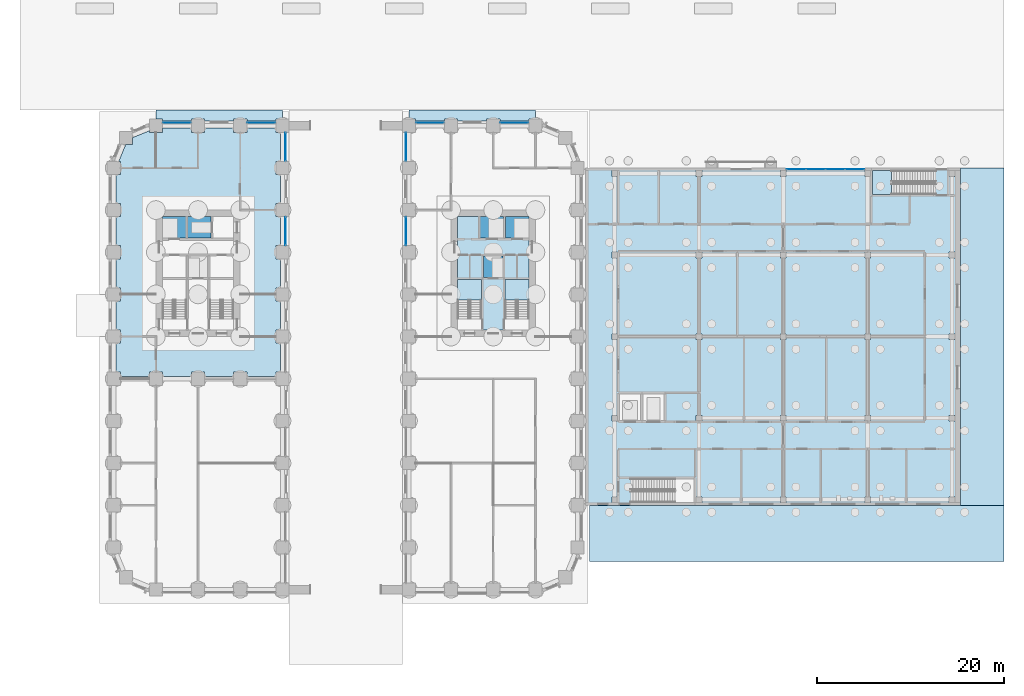
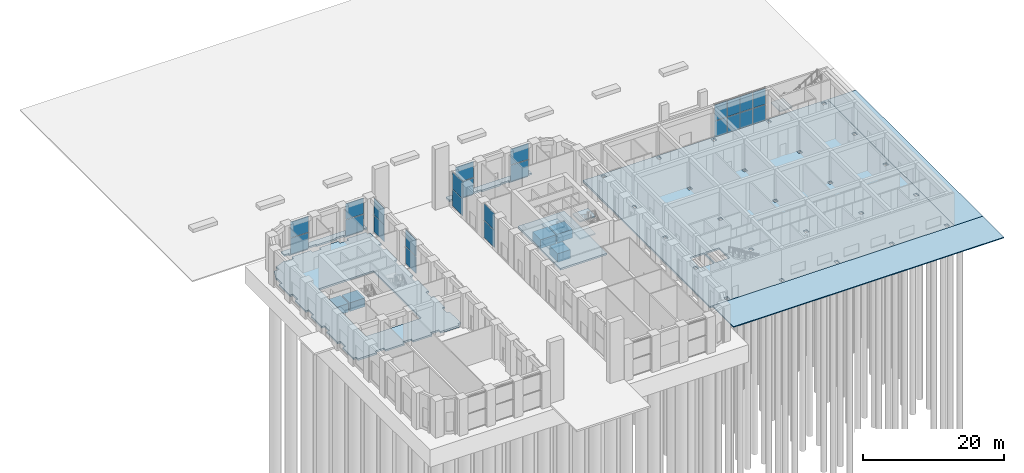
# One storey, part 12 of 31: 24 plates, 17 slabs, 12 elements without a shape of their own.
"""IFC4 building model written with IfcOpenShell, lengths in metres."""

from ifc_helpers import new_model, si_unit, direction, frame, origin, origin_2d, place, context, subcontext, project, spatial, polyline, rectangle, outline, extrude, material, layer, layer_set, type_object, element, aggregate, save


model = new_model("IFC4")

# Units and contexts
model_context = context("Model", 3, precision=1e-05, world=origin(), true_north=direction((0.0, 1.0)))
body_context = subcontext(model_context, "Body", "Model", "MODEL_VIEW")
ifc_project = project(units=[si_unit("LENGTHUNIT", "METRE"), si_unit("AREAUNIT", "SQUARE_METRE"), si_unit("VOLUMEUNIT", "CUBIC_METRE"), si_unit("PLANEANGLEUNIT", "RADIAN"), si_unit("MASSUNIT", "GRAM", prefix="KILO")], contexts=[model_context])

# Site, building, storey
site_placement = place(None, origin())
site = spatial("IfcSite", under=ifc_project, at=site_placement, CompositionType="ELEMENT")
building_placement = place(site_placement, origin())
building = spatial("IfcBuilding", under=site, at=building_placement, Name="Girih Gate Residences", CompositionType="ELEMENT")
storey_placement = place(building_placement, origin())
storey = spatial("IfcBuildingStorey", under=building, at=storey_placement, Name="L00", CompositionType="ELEMENT", Elevation=0.0)

# Curtain wall, plates
ifc_material_1 = material(Name="Aluminium curtain wall frame", Category="aluminium")
curtain_wall_type_1 = type_object("IfcCurtainWallType", Name="Curtain wall CW-6 street frontage glazing", PredefinedType="NOTDEFINED", material=ifc_material_1)
curtain_wall_1_placement = place(storey_placement, origin())
curtain_wall_1 = element("IfcCurtainWall", 1, at=curtain_wall_1_placement, inside=storey, type_object=curtain_wall_type_1, Name="CW-6 Street frontage glazing N0180_0495.0", PredefinedType="NOTDEFINED")
ifc_material_2 = material(Name="Laminated safety glass", Category="glass")
ifc_layer_1 = layer(ifc_material_2, 0.02197265625)
ifc_layer_set_1 = layer_set([ifc_layer_1], Name="Curtain wall glass panel 22")
plate_type_1 = type_object("IfcPlateType", Name="Curtain wall glass panel 22", PredefinedType="CURTAIN_PANEL", material=ifc_layer_set_1)
plate_1_placement = place(storey_placement, frame((15.75, 49.804931640625, 0.06005859375), z_axis=(0.0, 0.0, 1.0), x_axis=(-1.0, 0.0, 0.0)))
plate_1 = element("IfcPlate", 2, at=plate_1_placement, type_object=plate_type_1, Name="CW-6 panel 1.1", PredefinedType="CURTAIN_PANEL", context=body_context, shape_type="SweptSolid", body=[
    extrude(rectangle(XDim=2.97998046875, YDim=0.028076171875, at=origin_2d()), origin(), (0.0, 0.0, 1.0), 2.784912109375),
])
plate_2_placement = place(storey_placement, frame((15.75, 49.804931640625, 2.9052734375), z_axis=(0.0, 0.0, 1.0), x_axis=(-1.0, 0.0, 0.0)))
plate_2 = element("IfcPlate", 3, at=plate_2_placement, type_object=plate_type_1, Name="CW-6 panel 1.2", PredefinedType="CURTAIN_PANEL", context=body_context, shape_type="SweptSolid", body=[
    extrude(rectangle(XDim=2.97998046875, YDim=0.028076171875, at=origin_2d()), origin(), (0.0, 0.0, 1.0), 2.784912109375),
])
aggregate(curtain_wall_1, [plate_1, plate_2])

curtain_wall_2_placement = place(storey_placement, origin())
curtain_wall_2 = element("IfcCurtainWall", 4, at=curtain_wall_2_placement, inside=storey, type_object=curtain_wall_type_1, Name="CW-6 Street frontage glazing N0180_0495.2", PredefinedType="NOTDEFINED")
plate_3_placement = place(storey_placement, frame((6.75, 49.804931640625, 0.06005859375), z_axis=(0.0, 0.0, 1.0), x_axis=(-1.0, 0.0, 0.0)))
plate_3 = element("IfcPlate", 5, at=plate_3_placement, type_object=plate_type_1, Name="CW-6 panel 1.1", PredefinedType="CURTAIN_PANEL", context=body_context, shape_type="SweptSolid", body=[
    extrude(rectangle(XDim=2.97998046875, YDim=0.028076171875, at=origin_2d()), origin(), (0.0, 0.0, 1.0), 2.784912109375),
])
plate_4_placement = place(storey_placement, frame((6.75, 49.804931640625, 2.9052734375), z_axis=(0.0, 0.0, 1.0), x_axis=(-1.0, 0.0, 0.0)))
plate_4 = element("IfcPlate", 6, at=plate_4_placement, type_object=plate_type_1, Name="CW-6 panel 1.2", PredefinedType="CURTAIN_PANEL", context=body_context, shape_type="SweptSolid", body=[
    extrude(rectangle(XDim=2.97998046875, YDim=0.028076171875, at=origin_2d()), origin(), (0.0, 0.0, 1.0), 2.784912109375),
])
aggregate(curtain_wall_2, [plate_3, plate_4])

curtain_wall_type_2 = type_object("IfcCurtainWallType", Name="Curtain wall CW-1 arcade glazing", PredefinedType="NOTDEFINED", material=ifc_material_1)
curtain_wall_3_placement = place(storey_placement, origin())
curtain_wall_3 = element("IfcCurtainWall", 7, at=curtain_wall_3_placement, inside=storey, type_object=curtain_wall_type_2, Name="CW-1 Arcade glazing E0180_0000.8", PredefinedType="NOTDEFINED")
plate_5_placement = place(storey_placement, frame((18.324951171875, 38.25, 0.06005859375), z_axis=(0.0, 0.0, 1.0), x_axis=(0.0, 1.0, 0.0)))
plate_5 = element("IfcPlate", 8, at=plate_5_placement, type_object=plate_type_1, Name="CW-1 panel 1.1", PredefinedType="CURTAIN_PANEL", context=body_context, shape_type="SweptSolid", body=[
    extrude(rectangle(XDim=2.97998046875, YDim=0.028076171875, at=origin_2d()), origin(), (0.0, 0.0, 1.0), 2.909912109375),
])
plate_6_placement = place(storey_placement, frame((18.324951171875, 38.25, 3.0302734375), z_axis=(0.0, 0.0, 1.0), x_axis=(0.0, 1.0, 0.0)))
plate_6 = element("IfcPlate", 9, at=plate_6_placement, type_object=plate_type_1, Name="CW-1 panel 1.2", PredefinedType="CURTAIN_PANEL", context=body_context, shape_type="SweptSolid", body=[
    extrude(rectangle(XDim=2.97998046875, YDim=0.028076171875, at=origin_2d()), origin(), (0.0, 0.0, 1.0), 2.909912109375),
])
aggregate(curtain_wall_3, [plate_5, plate_6])

curtain_wall_4_placement = place(storey_placement, origin())
curtain_wall_4 = element("IfcCurtainWall", 10, at=curtain_wall_4_placement, inside=storey, type_object=curtain_wall_type_2, Name="CW-1 Arcade glazing E0180_0000.10", PredefinedType="NOTDEFINED")
plate_7_placement = place(storey_placement, frame((18.324951171875, 47.25, 0.06005859375), z_axis=(0.0, 0.0, 1.0), x_axis=(0.0, 1.0, 0.0)))
plate_7 = element("IfcPlate", 11, at=plate_7_placement, type_object=plate_type_1, Name="CW-1 panel 1.1", PredefinedType="CURTAIN_PANEL", context=body_context, shape_type="SweptSolid", body=[
    extrude(rectangle(XDim=2.97998046875, YDim=0.028076171875, at=origin_2d()), origin(), (0.0, 0.0, 1.0), 2.909912109375),
])
plate_8_placement = place(storey_placement, frame((18.324951171875, 47.25, 3.0302734375), z_axis=(0.0, 0.0, 1.0), x_axis=(0.0, 1.0, 0.0)))
plate_8 = element("IfcPlate", 12, at=plate_8_placement, type_object=plate_type_1, Name="CW-1 panel 1.2", PredefinedType="CURTAIN_PANEL", context=body_context, shape_type="SweptSolid", body=[
    extrude(rectangle(XDim=2.97998046875, YDim=0.028076171875, at=origin_2d()), origin(), (0.0, 0.0, 1.0), 2.909912109375),
])
aggregate(curtain_wall_4, [plate_7, plate_8])

curtain_wall_5_placement = place(storey_placement, origin())
curtain_wall_5 = element("IfcCurtainWall", 13, at=curtain_wall_5_placement, inside=storey, type_object=curtain_wall_type_1, Name="CW-6 Street frontage glazing N0450_0495.0", PredefinedType="NOTDEFINED")
plate_9_placement = place(storey_placement, frame((42.75, 49.804931640625, 0.06005859375), z_axis=(0.0, 0.0, 1.0), x_axis=(-1.0, 0.0, 0.0)))
plate_9 = element("IfcPlate", 14, at=plate_9_placement, type_object=plate_type_1, Name="CW-6 panel 1.1", PredefinedType="CURTAIN_PANEL", context=body_context, shape_type="SweptSolid", body=[
    extrude(rectangle(XDim=2.97998046875, YDim=0.028076171875, at=origin_2d()), origin(), (0.0, 0.0, 1.0), 2.784912109375),
])
plate_10_placement = place(storey_placement, frame((42.75, 49.804931640625, 2.9052734375), z_axis=(0.0, 0.0, 1.0), x_axis=(-1.0, 0.0, 0.0)))
plate_10 = element("IfcPlate", 15, at=plate_10_placement, type_object=plate_type_1, Name="CW-6 panel 1.2", PredefinedType="CURTAIN_PANEL", context=body_context, shape_type="SweptSolid", body=[
    extrude(rectangle(XDim=2.97998046875, YDim=0.028076171875, at=origin_2d()), origin(), (0.0, 0.0, 1.0), 2.784912109375),
])
aggregate(curtain_wall_5, [plate_9, plate_10])

curtain_wall_6_placement = place(storey_placement, origin())
curtain_wall_6 = element("IfcCurtainWall", 16, at=curtain_wall_6_placement, inside=storey, type_object=curtain_wall_type_1, Name="CW-6 Street frontage glazing N0450_0495.2", PredefinedType="NOTDEFINED")
plate_11_placement = place(storey_placement, frame((33.75, 49.804931640625, 0.06005859375), z_axis=(0.0, 0.0, 1.0), x_axis=(-1.0, 0.0, 0.0)))
plate_11 = element("IfcPlate", 17, at=plate_11_placement, type_object=plate_type_1, Name="CW-6 panel 1.1", PredefinedType="CURTAIN_PANEL", context=body_context, shape_type="SweptSolid", body=[
    extrude(rectangle(XDim=2.97998046875, YDim=0.028076171875, at=origin_2d()), origin(), (0.0, 0.0, 1.0), 2.784912109375),
])
plate_12_placement = place(storey_placement, frame((33.75, 49.804931640625, 2.9052734375), z_axis=(0.0, 0.0, 1.0), x_axis=(-1.0, 0.0, 0.0)))
plate_12 = element("IfcPlate", 18, at=plate_12_placement, type_object=plate_type_1, Name="CW-6 panel 1.2", PredefinedType="CURTAIN_PANEL", context=body_context, shape_type="SweptSolid", body=[
    extrude(rectangle(XDim=2.97998046875, YDim=0.028076171875, at=origin_2d()), origin(), (0.0, 0.0, 1.0), 2.784912109375),
])
aggregate(curtain_wall_6, [plate_11, plate_12])

curtain_wall_7_placement = place(storey_placement, origin())
curtain_wall_7 = element("IfcCurtainWall", 19, at=curtain_wall_7_placement, inside=storey, type_object=curtain_wall_type_2, Name="CW-1 Arcade glazing W0315_0495.0", PredefinedType="NOTDEFINED")
plate_13_placement = place(storey_placement, frame((31.175048828125, 47.25, 0.06005859375), z_axis=(0.0, 0.0, 1.0), x_axis=(0.0, -1.0, 0.0)))
plate_13 = element("IfcPlate", 20, at=plate_13_placement, type_object=plate_type_1, Name="CW-1 panel 1.1", PredefinedType="CURTAIN_PANEL", context=body_context, shape_type="SweptSolid", body=[
    extrude(rectangle(XDim=2.97998046875, YDim=0.028076171875, at=origin_2d()), origin(), (0.0, 0.0, 1.0), 2.909912109375),
])
plate_14_placement = place(storey_placement, frame((31.175048828125, 47.25, 3.0302734375), z_axis=(0.0, 0.0, 1.0), x_axis=(0.0, -1.0, 0.0)))
plate_14 = element("IfcPlate", 21, at=plate_14_placement, type_object=plate_type_1, Name="CW-1 panel 1.2", PredefinedType="CURTAIN_PANEL", context=body_context, shape_type="SweptSolid", body=[
    extrude(rectangle(XDim=2.97998046875, YDim=0.028076171875, at=origin_2d()), origin(), (0.0, 0.0, 1.0), 2.909912109375),
])
aggregate(curtain_wall_7, [plate_13, plate_14])

curtain_wall_8_placement = place(storey_placement, origin())
curtain_wall_8 = element("IfcCurtainWall", 22, at=curtain_wall_8_placement, inside=storey, type_object=curtain_wall_type_2, Name="CW-1 Arcade glazing W0315_0495.2", PredefinedType="NOTDEFINED")
plate_15_placement = place(storey_placement, frame((31.175048828125, 38.25, 0.06005859375), z_axis=(0.0, 0.0, 1.0), x_axis=(0.0, -1.0, 0.0)))
plate_15 = element("IfcPlate", 23, at=plate_15_placement, type_object=plate_type_1, Name="CW-1 panel 1.1", PredefinedType="CURTAIN_PANEL", context=body_context, shape_type="SweptSolid", body=[
    extrude(rectangle(XDim=2.97998046875, YDim=0.028076171875, at=origin_2d()), origin(), (0.0, 0.0, 1.0), 2.909912109375),
])
plate_16_placement = place(storey_placement, frame((31.175048828125, 38.25, 3.0302734375), z_axis=(0.0, 0.0, 1.0), x_axis=(0.0, -1.0, 0.0)))
plate_16 = element("IfcPlate", 24, at=plate_16_placement, type_object=plate_type_1, Name="CW-1 panel 1.2", PredefinedType="CURTAIN_PANEL", context=body_context, shape_type="SweptSolid", body=[
    extrude(rectangle(XDim=2.97998046875, YDim=0.028076171875, at=origin_2d()), origin(), (0.0, 0.0, 1.0), 2.909912109375),
])
aggregate(curtain_wall_8, [plate_15, plate_16])

# Slabs
ifc_material_3 = material(Name="Granite paving", Category="masonry")
ifc_layer_2 = layer(ifc_material_3, 0.06005859375, Name="Granite paver")
ifc_material_4 = material(Name="Sand-cement bedding mortar")
ifc_layer_3 = layer(ifc_material_4, 0.0400390625, Name="Bedding")
ifc_material_5 = material(Name="Concrete C30/37", Category="concrete")
ifc_layer_4 = layer(ifc_material_5, 0.199951171875, Name="Concrete base")
ifc_layer_set_2 = layer_set([ifc_layer_2, ifc_layer_3, ifc_layer_4], Name="Entrance apron paving 300")
slab_type_1 = type_object("IfcSlabType", Name="Entrance apron paving 300", PredefinedType="USERDEFINED", material=ifc_layer_set_2)
slab_1_placement = place(storey_placement, frame((0.0, 0.0, -0.300048828125)))
element("IfcSlab", 25, at=slab_1_placement, inside=storey, type_object=slab_type_1, Name="Entrance apron north-west", ObjectType="PAVING", PredefinedType="USERDEFINED", context=body_context, shape_type="SweptSolid", body=[
    extrude(outline(polyline([(4.5, 51.14990234375), (18.0, 51.14990234375), (18.0, 50.199951171875), (17.300048828125, 50.199951171875), (17.300048828125, 50.02490234375), (14.199951171875, 50.02490234375), (14.199951171875, 50.199951171875), (12.800048828125, 50.199951171875), (12.800048828125, 50.02490234375), (9.699951171875, 50.02490234375), (9.699951171875, 50.199951171875), (8.300048828125, 50.199951171875), (8.300048828125, 50.02490234375), (5.199951171875, 50.02490234375), (5.199951171875, 50.199951171875), (4.5, 50.199951171875), (4.5, 51.14990234375)])), origin(), (0.0, 0.0, 1.0), 0.300048828125),
])
slab_2_placement = place(storey_placement, frame((0.0, 0.0, -0.300048828125)))
element("IfcSlab", 26, at=slab_2_placement, inside=storey, type_object=slab_type_1, Name="Entrance apron north-east", ObjectType="PAVING", PredefinedType="USERDEFINED", context=body_context, shape_type="SweptSolid", body=[
    extrude(outline(polyline([(31.5, 51.14990234375), (45.0, 51.14990234375), (45.0, 50.199951171875), (44.300048828125, 50.199951171875), (44.300048828125, 50.02490234375), (41.199951171875, 50.02490234375), (41.199951171875, 50.199951171875), (39.800048828125, 50.199951171875), (39.800048828125, 50.02490234375), (36.699951171875, 50.02490234375), (36.699951171875, 50.199951171875), (35.300048828125, 50.199951171875), (35.300048828125, 50.02490234375), (32.199951171875, 50.02490234375), (32.199951171875, 50.199951171875), (31.5, 50.199951171875), (31.5, 51.14990234375)])), origin(), (0.0, 0.0, 1.0), 0.300048828125),
])
ifc_material_6 = material(Name="Concrete C40/50", Category="concrete")
ifc_layer_5 = layer(ifc_material_6, 0.300048828125)
ifc_layer_set_3 = layer_set([ifc_layer_5], Name="Ground slab RC 300 Concrete C40/50")
slab_type_2 = type_object("IfcSlabType", Name="Ground slab RC 300 Concrete C40/50", PredefinedType="BASESLAB", material=ifc_layer_set_3)
slab_3_placement = place(storey_placement, frame((0.0, 0.0, -0.300048828125)))
element("IfcSlab", 27, at=slab_3_placement, inside=storey, type_object=slab_type_2, Name="Ground slab L00 3", PredefinedType="BASESLAB", context=body_context, shape_type="SweptSolid", body=[
    extrude(outline(polyline([(36.699951171875, 27.699951171875), (44.300048828125, 27.699951171875), (44.300048828125, 39.800048828125), (36.699951171875, 39.800048828125), (36.699951171875, 27.699951171875)])), origin(), (0.0, 0.0, 1.0), 0.300048828125),
])
slab_4_placement = place(storey_placement, frame((0.0, 0.0, -0.300048828125)))
element("IfcSlab", 28, at=slab_4_placement, inside=storey, type_object=slab_type_2, Name="Ground slab L00 4", PredefinedType="BASESLAB", context=body_context, shape_type="SweptSolid", body=[
    extrude(outline(polyline([(0.22509765625, 26.300048828125), (0.22509765625, 23.199951171875), (0.699951171875, 23.199951171875), (0.699951171875, 22.72509765625), (3.800048828125, 22.72509765625), (3.800048828125, 23.199951171875), (5.199951171875, 23.199951171875), (5.199951171875, 22.72509765625), (8.300048828125, 22.72509765625), (8.300048828125, 23.199951171875), (9.699951171875, 23.199951171875), (9.699951171875, 22.72509765625), (12.800048828125, 22.72509765625), (12.800048828125, 23.199951171875), (14.199951171875, 23.199951171875), (14.199951171875, 22.72509765625), (17.300048828125, 22.72509765625), (17.300048828125, 23.199951171875), (17.77490234375, 23.199951171875), (17.77490234375, 26.300048828125), (17.300048828125, 26.300048828125), (17.300048828125, 27.699951171875), (17.77490234375, 27.699951171875), (17.77490234375, 30.800048828125), (17.300048828125, 30.800048828125), (17.300048828125, 32.199951171875), (17.77490234375, 32.199951171875), (17.77490234375, 35.300048828125), (17.300048828125, 35.300048828125), (17.300048828125, 36.699951171875), (17.77490234375, 36.699951171875), (17.77490234375, 39.800048828125), (17.300048828125, 39.800048828125), (17.300048828125, 41.199951171875), (17.77490234375, 41.199951171875), (17.77490234375, 44.300048828125), (17.300048828125, 44.300048828125), (17.300048828125, 45.699951171875), (17.77490234375, 45.699951171875), (17.77490234375, 48.800048828125), (17.300048828125, 48.800048828125), (17.300048828125, 49.27490234375), (14.199951171875, 49.27490234375), (14.199951171875, 48.800048828125), (12.800048828125, 48.800048828125), (12.800048828125, 49.27490234375), (9.699951171875, 49.27490234375), (9.699951171875, 48.800048828125), (8.300048828125, 48.800048828125), (8.300048828125, 49.27490234375), (5.199951171875, 49.27490234375), (5.199951171875, 48.800048828125), (3.800048828125, 48.800048828125), (3.800048828125, 48.966552734375), (2.01806640625, 48.228271484375), (2.01806640625, 47.48193359375), (1.271728515625, 47.48193359375), (0.533447265625, 45.699951171875), (0.699951171875, 45.699951171875), (0.699951171875, 44.300048828125), (0.22509765625, 44.300048828125), (0.22509765625, 41.199951171875), (0.699951171875, 41.199951171875), (0.699951171875, 39.800048828125), (0.22509765625, 39.800048828125), (0.22509765625, 36.699951171875), (0.699951171875, 36.699951171875), (0.699951171875, 35.300048828125), (0.22509765625, 35.300048828125), (0.22509765625, 32.199951171875), (0.699951171875, 32.199951171875), (0.699951171875, 30.800048828125), (0.22509765625, 30.800048828125), (0.22509765625, 27.699951171875), (0.699951171875, 27.699951171875), (0.699951171875, 26.300048828125), (0.22509765625, 26.300048828125)]), holes=[polyline([(13.5, 40.5), (13.5, 27.0), (4.5, 27.0), (4.5, 40.5), (13.5, 40.5)])]), origin(), (0.0, 0.0, 1.0), 0.300048828125),
])

# Curtain wall, plates
ifc_material_7 = material(Name="Aluminium curtain wall", Category="aluminium")
curtain_wall_type_3 = type_object("IfcCurtainWallType", Name="HC CW-5 curtain wall", PredefinedType="NOTDEFINED", material=ifc_material_7)
curtain_wall_9_placement = place(storey_placement, origin())
curtain_wall_9 = element("IfcCurtainWall", 29, at=curtain_wall_9_placement, inside=storey, type_object=curtain_wall_type_3, Name="L00 Health Hall curtain wall", PredefinedType="NOTDEFINED")
ifc_material_8 = material(Name="Double glazed unit")
ifc_layer_6 = layer(ifc_material_8, 0.028076171875)
ifc_layer_set_4 = layer_set([ifc_layer_6], Name="HC CW-5 panel 28")
plate_type_2 = type_object("IfcPlateType", Name="HC CW-5 panel 28", PredefinedType="CURTAIN_PANEL", material=ifc_layer_set_4)
plate_17_placement = place(storey_placement, frame((72.81494140625, 44.85009765625, 0.06005859375), z_axis=(0.0, 0.0, 1.0), x_axis=(1.0, 0.0, 0.0)))
plate_17 = element("IfcPlate", 30, at=plate_17_placement, type_object=plate_type_2, Name="CW-5 panel 1.1", PredefinedType="CURTAIN_PANEL", context=body_context, shape_type="SweptSolid", body=[
    extrude(rectangle(XDim=2.010009765625, YDim=0.028076171875, at=origin_2d()), origin(), (0.0, 0.0, 1.0), 2.760009765625),
])
plate_18_placement = place(storey_placement, frame((72.81494140625, 44.85009765625, 2.8798828125), z_axis=(0.0, 0.0, 1.0), x_axis=(1.0, 0.0, 0.0)))
plate_18 = element("IfcPlate", 31, at=plate_18_placement, type_object=plate_type_2, Name="CW-5 panel 1.2", PredefinedType="CURTAIN_PANEL", context=body_context, shape_type="SweptSolid", body=[
    extrude(rectangle(XDim=2.010009765625, YDim=0.028076171875, at=origin_2d()), origin(), (0.0, 0.0, 1.0), 2.760009765625),
])
plate_19_placement = place(storey_placement, frame((74.89990234375, 44.85009765625, 0.06005859375), z_axis=(0.0, 0.0, 1.0), x_axis=(1.0, 0.0, 0.0)))
plate_19 = element("IfcPlate", 32, at=plate_19_placement, type_object=plate_type_2, Name="CW-5 panel 2.1", PredefinedType="CURTAIN_PANEL", context=body_context, shape_type="SweptSolid", body=[
    extrude(rectangle(XDim=2.0400390625, YDim=0.028076171875, at=origin_2d()), origin(), (0.0, 0.0, 1.0), 2.760009765625),
])
plate_20_placement = place(storey_placement, frame((74.89990234375, 44.85009765625, 2.8798828125), z_axis=(0.0, 0.0, 1.0), x_axis=(1.0, 0.0, 0.0)))
plate_20 = element("IfcPlate", 33, at=plate_20_placement, type_object=plate_type_2, Name="CW-5 panel 2.2", PredefinedType="CURTAIN_PANEL", context=body_context, shape_type="SweptSolid", body=[
    extrude(rectangle(XDim=2.0400390625, YDim=0.028076171875, at=origin_2d()), origin(), (0.0, 0.0, 1.0), 2.760009765625),
])
plate_21_placement = place(storey_placement, frame((77.0, 44.85009765625, 0.06005859375), z_axis=(0.0, 0.0, 1.0), x_axis=(1.0, 0.0, 0.0)))
plate_21 = element("IfcPlate", 34, at=plate_21_placement, type_object=plate_type_2, Name="CW-5 panel 3.1", PredefinedType="CURTAIN_PANEL", context=body_context, shape_type="SweptSolid", body=[
    extrude(rectangle(XDim=2.0400390625, YDim=0.028076171875, at=origin_2d()), origin(), (0.0, 0.0, 1.0), 2.760009765625),
])
plate_22_placement = place(storey_placement, frame((77.0, 44.85009765625, 2.8798828125), z_axis=(0.0, 0.0, 1.0), x_axis=(1.0, 0.0, 0.0)))
plate_22 = element("IfcPlate", 35, at=plate_22_placement, type_object=plate_type_2, Name="CW-5 panel 3.2", PredefinedType="CURTAIN_PANEL", context=body_context, shape_type="SweptSolid", body=[
    extrude(rectangle(XDim=2.0400390625, YDim=0.028076171875, at=origin_2d()), origin(), (0.0, 0.0, 1.0), 2.760009765625),
])
plate_23_placement = place(storey_placement, frame((79.0849609375, 44.85009765625, 0.06005859375), z_axis=(0.0, 0.0, 1.0), x_axis=(1.0, 0.0, 0.0)))
plate_23 = element("IfcPlate", 36, at=plate_23_placement, type_object=plate_type_2, Name="CW-5 panel 4.1", PredefinedType="CURTAIN_PANEL", context=body_context, shape_type="SweptSolid", body=[
    extrude(rectangle(XDim=2.010009765625, YDim=0.028076171875, at=origin_2d()), origin(), (0.0, 0.0, 1.0), 2.760009765625),
])
plate_24_placement = place(storey_placement, frame((79.0849609375, 44.85009765625, 2.8798828125), z_axis=(0.0, 0.0, 1.0), x_axis=(1.0, 0.0, 0.0)))
plate_24 = element("IfcPlate", 37, at=plate_24_placement, type_object=plate_type_2, Name="CW-5 panel 4.2", PredefinedType="CURTAIN_PANEL", context=body_context, shape_type="SweptSolid", body=[
    extrude(rectangle(XDim=2.010009765625, YDim=0.028076171875, at=origin_2d()), origin(), (0.0, 0.0, 1.0), 2.760009765625),
])
aggregate(curtain_wall_9, [plate_17, plate_18, plate_19, plate_20, plate_21, plate_22, plate_23, plate_24])

# Slabs
ifc_material_9 = material(Name="Concrete paving", Category="concrete")
ifc_layer_7 = layer(ifc_material_9, 0.14990234375)
ifc_layer_set_5 = layer_set([ifc_layer_7], Name="HC Footway paving 150")
slab_type_3 = type_object("IfcSlabType", Name="HC Footway paving 150", PredefinedType="USERDEFINED", material=ifc_layer_set_5)
slab_5_placement = place(storey_placement, frame((0.0, 0.0, -0.14990234375)))
element("IfcSlab", 38, at=slab_5_placement, inside=storey, type_object=slab_type_3, Name="Health centre east path paving", ObjectType="PAVING", PredefinedType="USERDEFINED", context=body_context, shape_type="SweptSolid", body=[
    extrude(outline(polyline([(90.35009765625, 9.0), (95.0, 9.0), (95.0, 45.0), (90.35009765625, 45.0), (90.35009765625, 9.0)])), origin(), (0.0, 0.0, 1.0), 0.14990234375),
])
slab_6_placement = place(storey_placement, frame((0.0, 0.0, -0.14990234375)))
element("IfcSlab", 39, at=slab_6_placement, inside=storey, type_object=slab_type_3, Name="Health centre south service path paving", ObjectType="PAVING", PredefinedType="USERDEFINED", context=body_context, shape_type="SweptSolid", body=[
    extrude(outline(polyline([(50.75, 3.0), (95.0, 3.0), (95.0, 9.0), (50.75, 9.0), (50.75, 3.0)])), origin(), (0.0, 0.0, 1.0), 0.14990234375),
])
ifc_layer_8 = layer(ifc_material_6, 0.300048828125)
ifc_layer_set_6 = layer_set([ifc_layer_8], Name="HC Ground slab 300 C40/50")
slab_type_4 = type_object("IfcSlabType", Name="HC Ground slab 300 C40/50", PredefinedType="BASESLAB", material=ifc_layer_set_6)
slab_7_placement = place(storey_placement, frame((0.0, 0.0, -0.300048828125)))
element("IfcSlab", 40, at=slab_7_placement, inside=storey, type_object=slab_type_4, Name="Health centre ground slab", PredefinedType="BASESLAB", context=body_context, shape_type="SweptSolid", body=[
    extrude(outline(polyline([(50.35009765625, 9.0), (90.35009765625, 9.0), (90.35009765625, 45.0), (50.35009765625, 45.0), (50.35009765625, 9.0)]), holes=[polyline([(53.14990234375, 9.300048828125), (53.75, 9.300048828125), (53.75, 9.89990234375), (53.14990234375, 9.89990234375), (53.14990234375, 9.300048828125)]), polyline([(53.14990234375, 18.0), (53.75, 18.0), (53.75, 18.60009765625), (53.14990234375, 18.60009765625), (53.14990234375, 18.0)]), polyline([(53.14990234375, 26.699951171875), (53.75, 26.699951171875), (53.75, 27.300048828125), (53.14990234375, 27.300048828125), (53.14990234375, 26.699951171875)]), polyline([(53.14990234375, 35.39990234375), (53.75, 35.39990234375), (53.75, 36.0), (53.14990234375, 36.0), (53.14990234375, 35.39990234375)]), polyline([(53.14990234375, 44.10009765625), (53.75, 44.10009765625), (53.75, 44.699951171875), (53.14990234375, 44.699951171875), (53.14990234375, 44.10009765625)]), polyline([(62.14990234375, 9.300048828125), (62.75, 9.300048828125), (62.75, 9.89990234375), (62.14990234375, 9.89990234375), (62.14990234375, 9.300048828125)]), polyline([(62.14990234375, 18.0), (62.75, 18.0), (62.75, 18.60009765625), (62.14990234375, 18.60009765625), (62.14990234375, 18.0)]), polyline([(62.14990234375, 26.699951171875), (62.75, 26.699951171875), (62.75, 27.300048828125), (62.14990234375, 27.300048828125), (62.14990234375, 26.699951171875)]), polyline([(62.14990234375, 35.39990234375), (62.75, 35.39990234375), (62.75, 36.0), (62.14990234375, 36.0), (62.14990234375, 35.39990234375)]), polyline([(62.14990234375, 44.10009765625), (62.75, 44.10009765625), (62.75, 44.699951171875), (62.14990234375, 44.699951171875), (62.14990234375, 44.10009765625)]), polyline([(71.14990234375, 9.300048828125), (71.75, 9.300048828125), (71.75, 9.89990234375), (71.14990234375, 9.89990234375), (71.14990234375, 9.300048828125)]), polyline([(71.14990234375, 18.0), (71.75, 18.0), (71.75, 18.60009765625), (71.14990234375, 18.60009765625), (71.14990234375, 18.0)]), polyline([(71.14990234375, 26.699951171875), (71.75, 26.699951171875), (71.75, 27.300048828125), (71.14990234375, 27.300048828125), (71.14990234375, 26.699951171875)]), polyline([(71.14990234375, 35.39990234375), (71.75, 35.39990234375), (71.75, 36.0), (71.14990234375, 36.0), (71.14990234375, 35.39990234375)]), polyline([(71.14990234375, 44.10009765625), (71.75, 44.10009765625), (71.75, 44.699951171875), (71.14990234375, 44.699951171875), (71.14990234375, 44.10009765625)]), polyline([(80.14990234375, 9.300048828125), (80.75, 9.300048828125), (80.75, 9.89990234375), (80.14990234375, 9.89990234375), (80.14990234375, 9.300048828125)]), polyline([(80.14990234375, 18.0), (80.75, 18.0), (80.75, 18.60009765625), (80.14990234375, 18.60009765625), (80.14990234375, 18.0)]), polyline([(80.14990234375, 26.699951171875), (80.75, 26.699951171875), (80.75, 27.300048828125), (80.14990234375, 27.300048828125), (80.14990234375, 26.699951171875)]), polyline([(80.14990234375, 35.39990234375), (80.75, 35.39990234375), (80.75, 36.0), (80.14990234375, 36.0), (80.14990234375, 35.39990234375)]), polyline([(80.14990234375, 44.10009765625), (80.75, 44.10009765625), (80.75, 44.699951171875), (80.14990234375, 44.699951171875), (80.14990234375, 44.10009765625)]), polyline([(89.14990234375, 9.300048828125), (89.75, 9.300048828125), (89.75, 9.89990234375), (89.14990234375, 9.89990234375), (89.14990234375, 9.300048828125)]), polyline([(89.14990234375, 18.0), (89.75, 18.0), (89.75, 18.60009765625), (89.14990234375, 18.60009765625), (89.14990234375, 18.0)]), polyline([(89.14990234375, 26.699951171875), (89.75, 26.699951171875), (89.75, 27.300048828125), (89.14990234375, 27.300048828125), (89.14990234375, 26.699951171875)]), polyline([(89.14990234375, 35.39990234375), (89.75, 35.39990234375), (89.75, 36.0), (89.14990234375, 36.0), (89.14990234375, 35.39990234375)]), polyline([(89.14990234375, 44.10009765625), (89.75, 44.10009765625), (89.75, 44.699951171875), (89.14990234375, 44.699951171875), (89.14990234375, 44.10009765625)]), polyline([(53.949951171875, 18.0), (56.25, 18.0), (56.25, 20.89990234375), (53.949951171875, 20.89990234375), (53.949951171875, 18.0)]), polyline([(56.449951171875, 18.0), (58.75, 18.0), (58.75, 20.89990234375), (56.449951171875, 20.89990234375), (56.449951171875, 18.0)])]), origin(), (0.0, 0.0, 1.0), 0.300048828125),
])

# Stair, slab
stair_type_1 = type_object("IfcStairType", Name="HC Stair", PredefinedType="HALF_TURN_STAIR", material=ifc_material_6)
stair_1_placement = place(storey_placement, origin())
stair_1 = element("IfcStair", 41, at=stair_1_placement, inside=storey, type_object=stair_type_1, Name="L00 stair B", PredefinedType="HALF_TURN_STAIR")
ifc_layer_9 = layer(ifc_material_6, 0.199951171875)
ifc_layer_set_7 = layer_set([ifc_layer_9], Name="HC Stair landing 200")
slab_type_5 = type_object("IfcSlabType", Name="HC Stair landing 200", PredefinedType="LANDING", material=ifc_layer_set_7)
slab_8_placement = place(storey_placement, frame((0.0, 0.0, 2.800048828125)))
slab_8 = element("IfcSlab", 42, at=slab_8_placement, type_object=slab_type_5, Name="HC-STB landing 1", PredefinedType="LANDING", context=body_context, shape_type="SweptSolid", body=[
    extrude(outline(polyline([(82.989990234375, 44.699951171875), (80.949951171875, 44.699951171875), (80.949951171875, 42.14990234375), (82.989990234375, 42.14990234375), (82.989990234375, 44.699951171875)])), origin(), (0.0, 0.0, 1.0), 0.199951171875),
])
aggregate(stair_1, [slab_8])

# Slabs
ifc_material_10 = material(Name="Concrete C35/45", Category="concrete")
ifc_layer_10 = layer(ifc_material_10, 1.5)
ifc_layer_set_8 = layer_set([ifc_layer_10], Name="Lift pit slab RC 1500 Concrete C35/45")
slab_type_6 = type_object("IfcSlabType", Name="Lift pit slab RC 1500 Concrete C35/45", PredefinedType="USERDEFINED", material=ifc_layer_set_8)
slab_9_placement = place(storey_placement, frame((0.0, 0.0, -3.300048828125)))
element("IfcSlab", 43, at=slab_9_placement, inside=storey, type_object=slab_type_6, Name="Lift pit slab LR-W1", ObjectType="LIFT PIT SLAB", PredefinedType="USERDEFINED", context=body_context, shape_type="SweptSolid", body=[
    extrude(outline(polyline([(5.199951171875, 37.5), (7.699951171875, 37.5), (7.699951171875, 39.800048828125), (5.199951171875, 39.800048828125), (5.199951171875, 37.5)])), origin(), (0.0, 0.0, 1.0), 1.5),
])
slab_10_placement = place(storey_placement, frame((0.0, 0.0, -3.300048828125)))
element("IfcSlab", 44, at=slab_10_placement, inside=storey, type_object=slab_type_6, Name="Lift pit slab FF-W2", ObjectType="LIFT PIT SLAB", PredefinedType="USERDEFINED", context=body_context, shape_type="SweptSolid", body=[
    extrude(outline(polyline([(7.89990234375, 37.5), (10.39990234375, 37.5), (10.39990234375, 39.800048828125), (7.89990234375, 39.800048828125), (7.89990234375, 37.5)])), origin(), (0.0, 0.0, 1.0), 1.5),
])
slab_11_placement = place(storey_placement, frame((0.0, 0.0, -3.300048828125)))
element("IfcSlab", 45, at=slab_11_placement, inside=storey, type_object=slab_type_6, Name="Lift pit slab LR-E1", ObjectType="LIFT PIT SLAB", PredefinedType="USERDEFINED", context=body_context, shape_type="SweptSolid", body=[
    extrude(outline(polyline([(41.800048828125, 37.5), (44.300048828125, 37.5), (44.300048828125, 39.800048828125), (41.800048828125, 39.800048828125), (41.800048828125, 37.5)])), origin(), (0.0, 0.0, 1.0), 1.5),
])
slab_12_placement = place(storey_placement, frame((0.0, 0.0, -3.300048828125)))
element("IfcSlab", 46, at=slab_12_placement, inside=storey, type_object=slab_type_6, Name="Lift pit slab LR-E2", ObjectType="LIFT PIT SLAB", PredefinedType="USERDEFINED", context=body_context, shape_type="SweptSolid", body=[
    extrude(outline(polyline([(39.10009765625, 37.5), (41.60009765625, 37.5), (41.60009765625, 39.800048828125), (39.10009765625, 39.800048828125), (39.10009765625, 37.5)])), origin(), (0.0, 0.0, 1.0), 1.5),
])
slab_13_placement = place(storey_placement, frame((0.0, 0.0, -3.300048828125)))
element("IfcSlab", 47, at=slab_13_placement, inside=storey, type_object=slab_type_6, Name="Lift pit slab FF-E", ObjectType="LIFT PIT SLAB", PredefinedType="USERDEFINED", context=body_context, shape_type="SweptSolid", body=[
    extrude(outline(polyline([(39.449951171875, 33.300048828125), (41.550048828125, 33.300048828125), (41.550048828125, 35.60009765625), (39.449951171875, 35.60009765625), (39.449951171875, 33.300048828125)])), origin(), (0.0, 0.0, 1.0), 1.5),
])

# Stair, slabs
stair_type_2 = type_object("IfcStairType", Name="Exit stair", PredefinedType="HALF_TURN_STAIR", material=ifc_material_6)
stair_2_placement = place(storey_placement, origin())
stair_2 = element("IfcStair", 48, at=stair_2_placement, inside=storey, type_object=stair_type_2, Name="L00 Exit Stair ST-E1", PredefinedType="HALF_TURN_STAIR")
ifc_layer_11 = layer(ifc_material_6, 0.199951171875)
ifc_layer_set_9 = layer_set([ifc_layer_11], Name="Stair landing 200")
slab_type_7 = type_object("IfcSlabType", Name="Stair landing 200", PredefinedType="LANDING", material=ifc_layer_set_9)
slab_14_placement = place(storey_placement, frame((0.0, 0.0, 1.300048828125)))
slab_14 = element("IfcSlab", 49, at=slab_14_placement, type_object=slab_type_7, Name="ST-E1 landing 1", PredefinedType="LANDING", context=body_context, shape_type="SweptSolid", body=[
    extrude(outline(polyline([(44.300048828125, 30.89990234375), (44.300048828125, 33.10009765625), (41.75, 33.10009765625), (41.75, 30.89990234375), (44.300048828125, 30.89990234375)])), origin(), (0.0, 0.0, 1.0), 0.199951171875),
])
slab_15_placement = place(storey_placement, frame((0.0, 0.0, 4.300048828125)))
slab_15 = element("IfcSlab", 50, at=slab_15_placement, type_object=slab_type_7, Name="ST-E1 landing 3", PredefinedType="LANDING", context=body_context, shape_type="SweptSolid", body=[
    extrude(outline(polyline([(44.300048828125, 30.89990234375), (44.300048828125, 33.10009765625), (41.75, 33.10009765625), (41.75, 30.89990234375), (44.300048828125, 30.89990234375)])), origin(), (0.0, 0.0, 1.0), 0.199951171875),
])
aggregate(stair_2, [slab_14, slab_15])

stair_3_placement = place(storey_placement, origin())
stair_3 = element("IfcStair", 51, at=stair_3_placement, inside=storey, type_object=stair_type_2, Name="L00 Exit Stair ST-E2", PredefinedType="HALF_TURN_STAIR")
slab_16_placement = place(storey_placement, frame((0.0, 0.0, 1.300048828125)))
slab_16 = element("IfcSlab", 52, at=slab_16_placement, type_object=slab_type_7, Name="ST-E2 landing 1", PredefinedType="LANDING", context=body_context, shape_type="SweptSolid", body=[
    extrude(outline(polyline([(39.25, 30.89990234375), (39.25, 33.10009765625), (36.699951171875, 33.10009765625), (36.699951171875, 30.89990234375), (39.25, 30.89990234375)])), origin(), (0.0, 0.0, 1.0), 0.199951171875),
])
slab_17_placement = place(storey_placement, frame((0.0, 0.0, 4.300048828125)))
slab_17 = element("IfcSlab", 53, at=slab_17_placement, type_object=slab_type_7, Name="ST-E2 landing 3", PredefinedType="LANDING", context=body_context, shape_type="SweptSolid", body=[
    extrude(outline(polyline([(39.25, 30.89990234375), (39.25, 33.10009765625), (36.699951171875, 33.10009765625), (36.699951171875, 30.89990234375), (39.25, 30.89990234375)])), origin(), (0.0, 0.0, 1.0), 0.199951171875),
])
aggregate(stair_3, [slab_16, slab_17])

save(model, "model.ifc")
